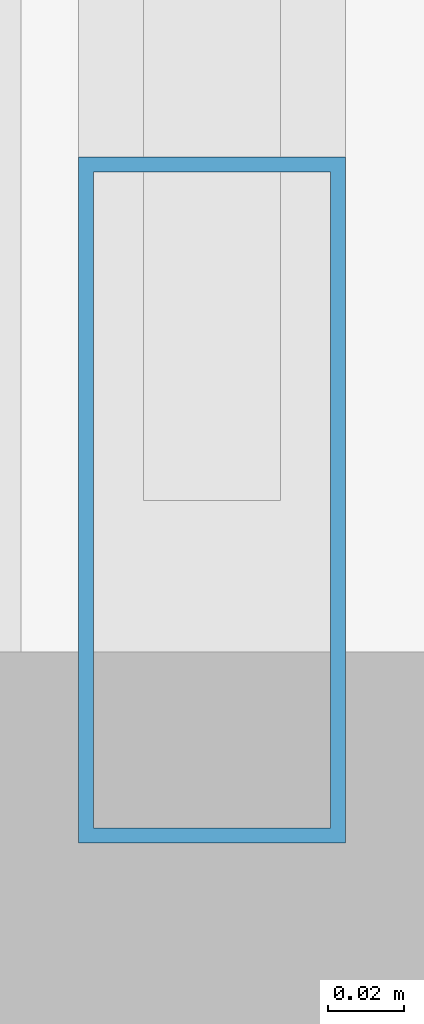
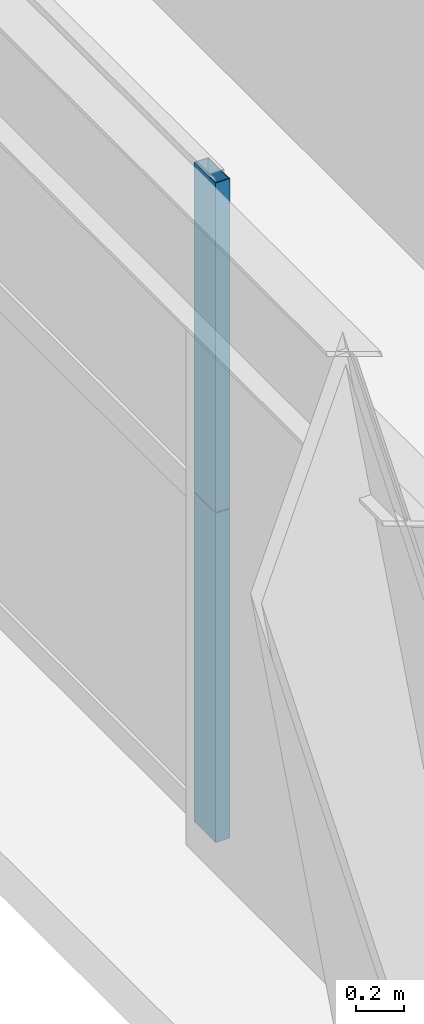
# One storey, part 6 of 41: 2 members, 1 element without a shape of its own.
"""IFC4 building model written with IfcOpenShell, lengths in metres."""

from ifc_helpers import new_model, si_unit, direction, frame, origin, origin_2d, place, context, subcontext, project, spatial, hollow_rectangle, extrude, source, transform, mapped, material, layer, layer_set, material_profile, profile_set, type_object, element, aggregate, save


model = new_model("IFC4")

# Units and contexts
model_context = context("Model", 3, precision=1e-05, world=origin(), true_north=direction((0.0, 1.0)))
body_context = subcontext(model_context, "Body", "Model", "MODEL_VIEW")
ifc_project = project(units=[si_unit("LENGTHUNIT", "METRE"), si_unit("AREAUNIT", "SQUARE_METRE"), si_unit("VOLUMEUNIT", "CUBIC_METRE"), si_unit("PLANEANGLEUNIT", "RADIAN"), si_unit("MASSUNIT", "GRAM", prefix="KILO"), si_unit("THERMODYNAMICTEMPERATUREUNIT", "KELVIN"), si_unit("POWERUNIT", "WATT")], contexts=[model_context])

# Site, building, storey
site_placement = place(None, origin())
site = spatial("IfcSite", under=ifc_project, at=site_placement, CompositionType="ELEMENT")
building_placement = place(site_placement, origin())
building = spatial("IfcBuilding", under=site, at=building_placement, Name="Yuzanri Waterfront Tower", CompositionType="ELEMENT")
storey_placement = place(building_placement, frame((0.0, 0.0, 122.60009765625)))
storey = spatial("IfcBuildingStorey", under=building, at=storey_placement, Name="L32", CompositionType="ELEMENT", Elevation=122.60009765625)

# Curtain wall, members
ifc_material_1 = material(Name="Anodized Architectural Bronze", Category="metal")
ifc_layer = layer(ifc_material_1, 0.159912109375)
ifc_layer_set = layer_set([ifc_layer], Name="Anodized Architectural Bronze")
curtain_wall_type = type_object("IfcCurtainWallType", Name="Anodized Bronze Hotel Upper-Tier Solar-Control Unitized Curtain Wall 7800", PredefinedType="NOTDEFINED", material=ifc_layer_set)
curtain_wall_placement = place(storey_placement, origin())
curtain_wall = element("IfcCurtainWall", 1, at=curtain_wall_placement, inside=storey, type_object=curtain_wall_type, Name="L32 Curtain Wall CW-L32-WL", PredefinedType="NOTDEFINED")
ifc_material_2 = material(Name="Anodized Architectural Bronze", Category="metal")
ifc_material_profile = material_profile(ifc_material_2, hollow_rectangle(XDim=0.070068359375, YDim=0.179931640625, WallThickness=0.00390625, at=origin_2d()), Name="CWM 70x180")
ifc_profile_set = profile_set([ifc_material_profile], Name="Anodized Architectural Bronze")
member_type = type_object("IfcMemberType", Name="Anodized Bronze Standard Curtain-Wall Mullion 70x180", PredefinedType="MULLION", material=ifc_profile_set)
shared_shape = source(origin(), body_context, "Body", "SweptSolid", [
    extrude(hollow_rectangle(XDim=0.070068359375, YDim=0.179931640625, WallThickness=0.00390625, at=origin_2d()), origin(), (0.0, 0.0, 1.0), 1.68798828125),
])
member_1_placement = place(storey_placement, frame((13.550048828125, 9.590087890625, 0.0), z_axis=(0.0, 0.0, 1.0), x_axis=(1.0, 0.0, 0.0)))
member_1 = element("IfcMember", 2, at=member_1_placement, type_object=member_type, Name="CW-L32-WL Lower Mullion 00", PredefinedType="MULLION", context=body_context, shape_type="MappedRepresentation", body=[
    mapped(shared_shape, transform((0.0, 0.0, 0.0), scale=1.0)),
])
member_2_placement = place(storey_placement, frame((13.550048828125, 9.590087890625, 1.69189453125), z_axis=(0.0, 0.0, 1.0), x_axis=(1.0, 0.0, 0.0)))
member_2 = element("IfcMember", 3, at=member_2_placement, type_object=member_type, Name="CW-L32-WL Upper Mullion 00", PredefinedType="MULLION", context=body_context, shape_type="MappedRepresentation", body=[
    mapped(shared_shape, transform((0.0, 0.0, 0.0), scale=1.0)),
])
aggregate(curtain_wall, [member_1, member_2])

save(model, "model.ifc")
